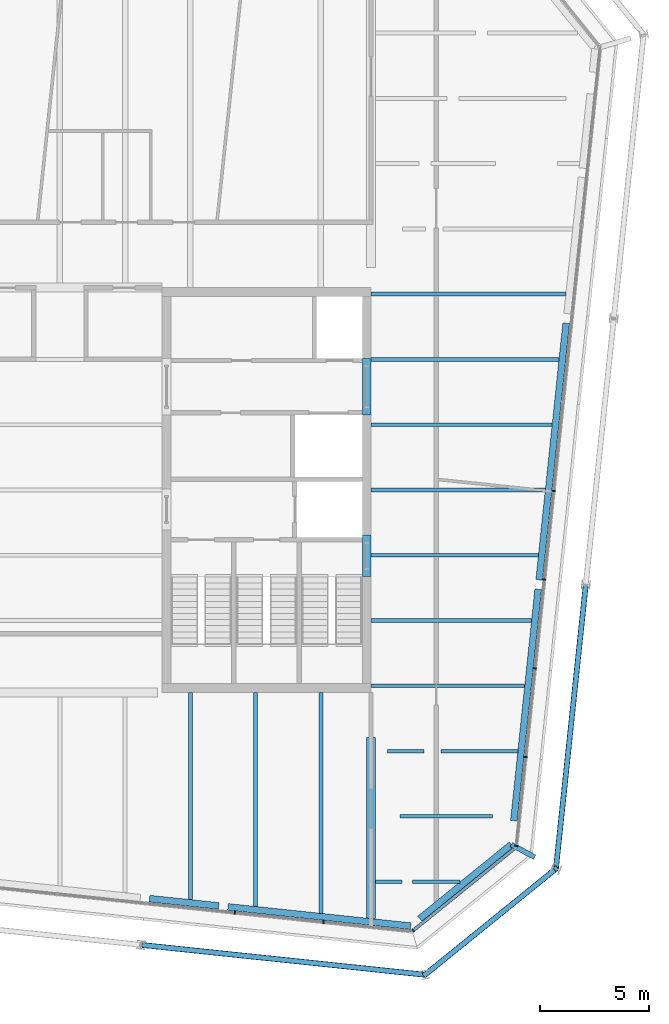
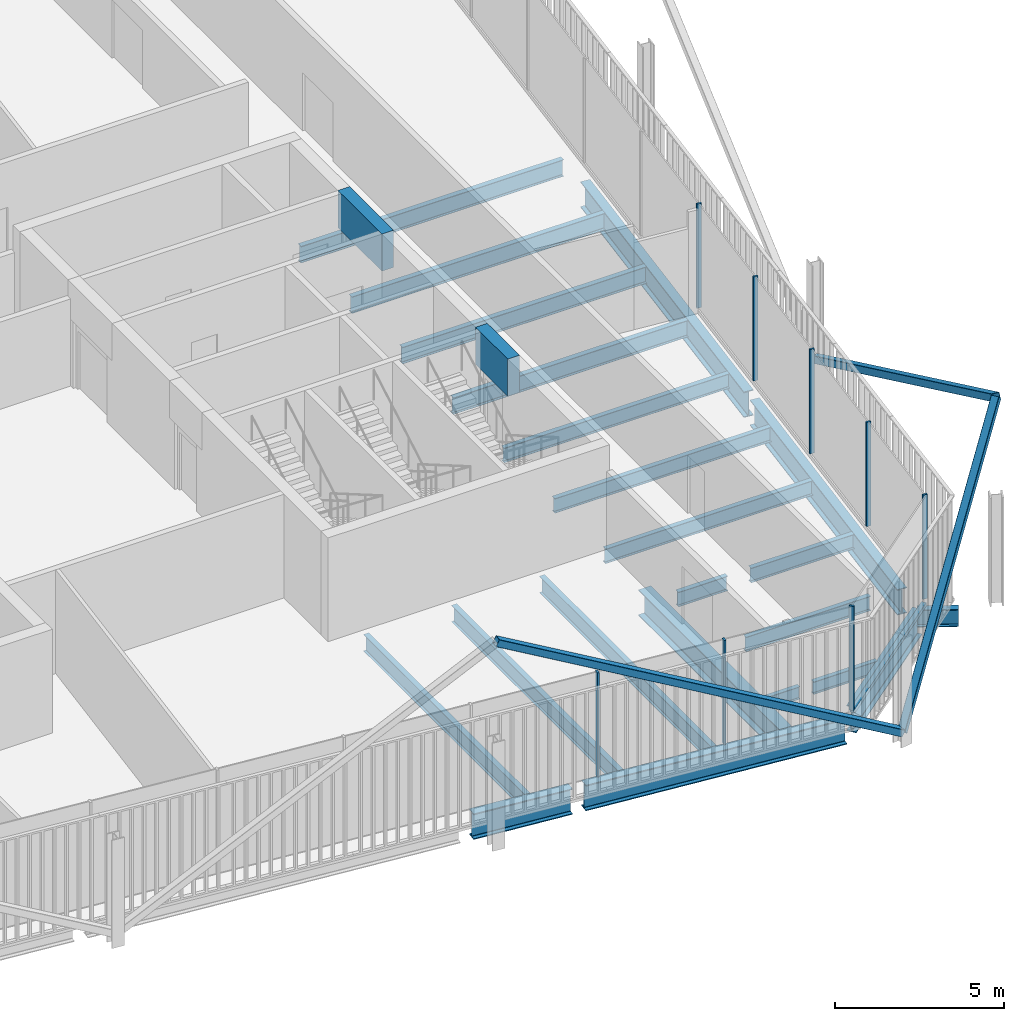
# One storey, part 9 of 21: 24 beams, 12 members, 3 elements without a shape of their own.
"""IFC4 building model written with IfcOpenShell, lengths in metres."""

from ifc_helpers import new_model, si_unit, direction, frame, origin, origin_2d, place, context, subcontext, project, spatial, rectangle, hollow_rectangle, i_section, extrude, material, layer, layer_set, material_profile, profile_set, type_object, element, aggregate, save


model = new_model("IFC4")

# Units and contexts
model_context = context("Model", 3, precision=1e-05, world=origin(), true_north=direction((0.0, 1.0)))
body_context = subcontext(model_context, "Body", "Model", "MODEL_VIEW")
ifc_project = project(units=[si_unit("LENGTHUNIT", "METRE"), si_unit("AREAUNIT", "SQUARE_METRE"), si_unit("VOLUMEUNIT", "CUBIC_METRE"), si_unit("PLANEANGLEUNIT", "RADIAN"), si_unit("MASSUNIT", "GRAM", prefix="KILO")], contexts=[model_context])

# Site, building, storey
site_placement = place(None, origin())
site = spatial("IfcSite", under=ifc_project, at=site_placement, CompositionType="ELEMENT")
building_placement = place(site_placement, origin())
building = spatial("IfcBuilding", under=site, at=building_placement, Name="Millrace Tower", CompositionType="ELEMENT")
storey_placement = place(building_placement, frame((0.0, 0.0, 276.0)))
storey = spatial("IfcBuildingStorey", under=building, at=storey_placement, Name="L63", CompositionType="ELEMENT", Elevation=276.0)

# Curtain wall, members
ifc_material_1 = material(Name="Aluminium and glass", Category="aluminium")
ifc_layer = layer(ifc_material_1, 0.14990234375)
ifc_layer_set = layer_set([ifc_layer], Name="Aluminium and glass")
curtain_wall_type = type_object("IfcCurtainWallType", Name="CW-1 office vision curtain wall", PredefinedType="NOTDEFINED", material=ifc_layer_set)
placement = place(storey_placement, origin())
curtain_wall_1 = element("IfcCurtainWall", 1, at=placement, inside=storey, type_object=curtain_wall_type, Name="Curtain wall E-F02 L63", PredefinedType="NOTDEFINED")
ifc_material_2 = material(Name="Aluminium", Category="aluminium")
ifc_material_profile_1 = material_profile(ifc_material_2, rectangle(XDim=0.06494140625, YDim=0.14990234375, at=origin_2d()))
ifc_profile_set_1 = profile_set([ifc_material_profile_1], Name="Aluminium")
member_type_1 = type_object("IfcMemberType", Name="CW-1 office vision curtain wall mullion", PredefinedType="MULLION", material=ifc_profile_set_1)
member_1_placement = place(storey_placement, frame((8.040283203125, -19.4248046875, 0.139892578125), z_axis=(0.0, 0.0, 1.0), x_axis=(0.994521896217, -0.104528455196, 0.0)))
member_1 = element("IfcMember", 2, at=member_1_placement, type_object=member_type_1, Name="CW1 mullion E-F02.8", PredefinedType="MULLION", context=body_context, shape_type="SweptSolid", body=[
    extrude(rectangle(XDim=0.06494140625, YDim=0.14990234375, at=origin_2d()), origin(), (0.0, 0.0, 1.0), 3.760009765625),
])
member_2_placement = place(storey_placement, frame((12.117919921875, -19.853271484375, 0.139892578125), z_axis=(0.0, 0.0, 1.0), x_axis=(0.994521896217, -0.104528455196, 0.0)))
member_2 = element("IfcMember", 3, at=member_2_placement, type_object=member_type_1, Name="CW1 mullion E-F02.9", PredefinedType="MULLION", context=body_context, shape_type="SweptSolid", body=[
    extrude(rectangle(XDim=0.06494140625, YDim=0.14990234375, at=origin_2d()), origin(), (0.0, 0.0, 1.0), 3.760009765625),
])
aggregate(curtain_wall_1, [member_1, member_2])

# Curtain wall, member
curtain_wall_2 = element("IfcCurtainWall", 4, at=placement, inside=storey, type_object=curtain_wall_type, Name="Curtain wall E-F03 L63", PredefinedType="NOTDEFINED")
member_3_placement = place(storey_placement, frame((16.243408203125, -20.24169921875, 0.139892578125), z_axis=(0.0, 0.0, 1.0), x_axis=(0.777146052237, 0.629320278945, 0.0)))
member_3 = element("IfcMember", 5, at=member_3_placement, type_object=member_type_1, Name="CW1 mullion E-F03.1", PredefinedType="MULLION", context=body_context, shape_type="SweptSolid", body=[
    extrude(rectangle(XDim=0.06494140625, YDim=0.14990234375, at=origin_2d()), origin(), (0.0, 0.0, 1.0), 3.760009765625),
])

# Curtain wall, members
curtain_wall_3 = element("IfcCurtainWall", 6, at=placement, inside=storey, type_object=curtain_wall_type, Name="Curtain wall E-F04 L63", PredefinedType="NOTDEFINED")
member_4_placement = place(storey_placement, frame((20.974853515625, -16.3525390625, 0.139892578125), z_axis=(0.0, 0.0, 1.0), x_axis=(0.104528455196, 0.994521896217, 0.0)))
member_4 = element("IfcMember", 7, at=member_4_placement, type_object=member_type_1, Name="CW1 mullion E-F04.1", PredefinedType="MULLION", context=body_context, shape_type="SweptSolid", body=[
    extrude(rectangle(XDim=0.06494140625, YDim=0.14990234375, at=origin_2d()), origin(), (0.0, 0.0, 1.0), 3.760009765625),
])
member_5_placement = place(storey_placement, frame((21.4033203125, -12.27490234375, 0.139892578125), z_axis=(0.0, 0.0, 1.0), x_axis=(0.104528455196, 0.994521896217, 0.0)))
member_5 = element("IfcMember", 8, at=member_5_placement, type_object=member_type_1, Name="CW1 mullion E-F04.2", PredefinedType="MULLION", context=body_context, shape_type="SweptSolid", body=[
    extrude(rectangle(XDim=0.06494140625, YDim=0.14990234375, at=origin_2d()), origin(), (0.0, 0.0, 1.0), 3.760009765625),
])
member_6_placement = place(storey_placement, frame((21.83203125, -8.197509765625, 0.139892578125), z_axis=(0.0, 0.0, 1.0), x_axis=(0.104528455196, 0.994521896217, 0.0)))
member_6 = element("IfcMember", 9, at=member_6_placement, type_object=member_type_1, Name="CW1 mullion E-F04.3", PredefinedType="MULLION", context=body_context, shape_type="SweptSolid", body=[
    extrude(rectangle(XDim=0.06494140625, YDim=0.14990234375, at=origin_2d()), origin(), (0.0, 0.0, 1.0), 3.760009765625),
])
member_7_placement = place(storey_placement, frame((22.260498046875, -4.119873046875, 0.139892578125), z_axis=(0.0, 0.0, 1.0), x_axis=(0.104528455196, 0.994521896217, 0.0)))
member_7 = element("IfcMember", 10, at=member_7_placement, type_object=member_type_1, Name="CW1 mullion E-F04.4", PredefinedType="MULLION", context=body_context, shape_type="SweptSolid", body=[
    extrude(rectangle(XDim=0.06494140625, YDim=0.14990234375, at=origin_2d()), origin(), (0.0, 0.0, 1.0), 3.760009765625),
])
member_8_placement = place(storey_placement, frame((22.68896484375, -0.042236328125, 0.139892578125), z_axis=(0.0, 0.0, 1.0), x_axis=(0.104528455196, 0.994521896217, 0.0)))
member_8 = element("IfcMember", 11, at=member_8_placement, type_object=member_type_1, Name="CW1 mullion E-F04.5", PredefinedType="MULLION", context=body_context, shape_type="SweptSolid", body=[
    extrude(rectangle(XDim=0.06494140625, YDim=0.14990234375, at=origin_2d()), origin(), (0.0, 0.0, 1.0), 3.760009765625),
])
aggregate(curtain_wall_3, [member_4, member_5, member_6, member_7, member_8])

# Member
ifc_material_3 = material(Name="Aluminium", Category="aluminium")
ifc_material_profile_2 = material_profile(ifc_material_3, rectangle(XDim=0.14990234375, YDim=0.139892578125, at=origin_2d()))
ifc_profile_set_2 = profile_set([ifc_material_profile_2], Name="Aluminium")
member_type_2 = type_object("IfcMemberType", Name="CW-1 office vision curtain wall transom", PredefinedType="USERDEFINED", material=ifc_profile_set_2)
member_9_placement = place(storey_placement, frame((16.2958984375, -20.19921875, 0.070068359375), z_axis=(0.77714915117, 0.629316452061, 0.0), x_axis=(-0.629316452061, 0.77714915117, 0.0)))
member_9 = element("IfcMember", 12, at=member_9_placement, type_object=member_type_2, Name="CW1 transom E-F03.1", ObjectType="TRANSOM", PredefinedType="USERDEFINED", context=body_context, shape_type="SweptSolid", body=[
    extrude(rectangle(XDim=0.14990234375, YDim=0.139892578125, at=origin_2d()), origin(), (0.0, 0.0, 1.0), 5.880859375),
])

aggregate(curtain_wall_2, [member_3, member_9])

# Beams
ifc_material_4 = material(Name="Concrete C60", Category="concrete")
ifc_material_profile_3 = material_profile(ifc_material_4, rectangle(XDim=0.39990234375, YDim=1.340087890625, at=origin_2d()))
ifc_profile_set_3 = profile_set([ifc_material_profile_3], Name="Concrete C60")
beam_type_1 = type_object("IfcBeamType", Name="Coupling beam 400 x 1340 Concrete C60, 1300 opening", PredefinedType="BEAM", material=ifc_profile_set_3)
beam_1_placement = place(storey_placement, frame((14.10009765625, -2.080078125, 3.070068359375), z_axis=(0.0, -1.0, 0.0), x_axis=(1.0, 0.0, 0.0)))
element("IfcBeam", 13, at=beam_1_placement, inside=storey, type_object=beam_type_1, Name="Coupling beam E L63", PredefinedType="BEAM", context=body_context, shape_type="SweptSolid", body=[
    extrude(rectangle(XDim=0.39990234375, YDim=1.340087890625, at=origin_2d()), origin(), (0.0, 0.0, 1.0), 1.89990234375),
])
ifc_material_5 = material(Name="Concrete C60", Category="concrete")
ifc_material_profile_4 = material_profile(ifc_material_5, rectangle(XDim=0.39990234375, YDim=1.340087890625, at=origin_2d()))
ifc_profile_set_4 = profile_set([ifc_material_profile_4], Name="Concrete C60")
beam_type_2 = type_object("IfcBeamType", Name="Coupling beam 400 x 1340 Concrete C60, 2000 opening", PredefinedType="BEAM", material=ifc_profile_set_4)
beam_2_placement = place(storey_placement, frame((14.10009765625, 6.050048828125, 3.070068359375), z_axis=(0.0, -1.0, 0.0), x_axis=(1.0, 0.0, 0.0)))
element("IfcBeam", 14, at=beam_2_placement, inside=storey, type_object=beam_type_2, Name="Coupling beam E L63", PredefinedType="BEAM", context=body_context, shape_type="SweptSolid", body=[
    extrude(rectangle(XDim=0.39990234375, YDim=1.340087890625, at=origin_2d()), origin(), (0.0, 0.0, 1.0), 2.60009765625),
])

# Members
ifc_material_6 = material(Name="Steel ASTM A500 Grade C", Category="steel")
ifc_material_profile_5 = material_profile(ifc_material_6, hollow_rectangle(XDim=0.25390625, YDim=0.25390625, WallThickness=0.0126953125, InnerFilletRadius=0.00634765625, OuterFilletRadius=0.01904296875, at=origin_2d()))
ifc_profile_set_5 = profile_set([ifc_material_profile_5], Name="Steel ASTM A500 Grade C")
member_type_3 = type_object("IfcMemberType", Name="Exoskeleton brace HSS10x10x1/2", PredefinedType="BRACE", material=ifc_profile_set_5)
member_10_placement = place(storey_placement, frame((16.78564453125, -22.279541015625, 0.39990234375), z_axis=(-0.877568210125, 0.092238278747, 0.470495628578), x_axis=(-0.104530865473, -0.994521642883, 0.0)))
element("IfcMember", 15, at=member_10_placement, inside=storey, type_object=member_type_3, Name="BRC-E-L63-04", PredefinedType="BRACE", context=body_context, shape_type="SweptSolid", body=[
    extrude(hollow_rectangle(XDim=0.25390625, YDim=0.25390625, WallThickness=0.0126953125, InnerFilletRadius=0.00634765625, OuterFilletRadius=0.01904296875, at=origin_2d()), origin(), (0.0, 0.0, 1.0), 14.8779296875),
])
member_11_placement = place(storey_placement, frame((16.78564453125, -22.279541015625, 0.39990234375), z_axis=(0.576329152125, 0.466688099557, 0.670855369021), x_axis=(-0.629308952043, 0.777155224442, 0.0)))
element("IfcMember", 16, at=member_11_placement, inside=storey, type_object=member_type_3, Name="BRC-E-L63-05", PredefinedType="BRACE", context=body_context, shape_type="SweptSolid", body=[
    extrude(hollow_rectangle(XDim=0.25390625, YDim=0.25390625, WallThickness=0.0126953125, InnerFilletRadius=0.00634765625, OuterFilletRadius=0.01904296875, at=origin_2d()), origin(), (0.0, 0.0, 1.0), 10.434326171875),
])
member_12_placement = place(storey_placement, frame((24.171630859375, -4.353271484375, 0.39990234375), z_axis=(-0.092236950483, -0.877571982182, 0.470488853274), x_axis=(0.994521846076, -0.104528932251, 0.0)))
element("IfcMember", 17, at=member_12_placement, inside=storey, type_object=member_type_3, Name="BRC-E-L63-06", PredefinedType="BRACE", context=body_context, shape_type="SweptSolid", body=[
    extrude(hollow_rectangle(XDim=0.25390625, YDim=0.25390625, WallThickness=0.0126953125, InnerFilletRadius=0.00634765625, OuterFilletRadius=0.01904296875, at=origin_2d()), origin(), (0.0, 0.0, 1.0), 14.878173828125),
])

# Beams
ifc_material_7 = material(Name="Steel ASTM A992 Grade 50", Category="steel")
ifc_material_profile_6 = material_profile(ifc_material_7, i_section(OverallWidth=0.15234375, OverallDepth=0.449462890625, WebThickness=0.007568359375, FlangeThickness=0.0107421875, FilletRadius=0.01025390625, at=origin_2d()))
ifc_profile_set_6 = profile_set([ifc_material_profile_6], Name="Steel ASTM A992 Grade 50")
beam_type_3 = type_object("IfcBeamType", Name="Floor beam W18x35", PredefinedType="JOIST", material=ifc_profile_set_6)
beam_3_placement = place(storey_placement, frame((14.509521484375, -18.0, -0.384765625), z_axis=(1.0, 0.0, 0.0), x_axis=(0.0, 1.0, 0.0)))
element("IfcBeam", 18, at=beam_3_placement, inside=storey, type_object=beam_type_3, Name="BM-E-L63-S1-S001-a", PredefinedType="JOIST", context=body_context, shape_type="SweptSolid", body=[
    extrude(i_section(OverallWidth=0.15234375, OverallDepth=0.449462890625, WebThickness=0.007568359375, FlangeThickness=0.0107421875, FilletRadius=0.01025390625, at=origin_2d()), origin(), (0.0, 0.0, 1.0), 1.22314453125),
])
beam_4_placement = place(storey_placement, frame((16.19970703125, -18.0, -0.384765625), z_axis=(1.0, 0.0, 0.0), x_axis=(0.0, 1.0, 0.0)))
element("IfcBeam", 19, at=beam_4_placement, inside=storey, type_object=beam_type_3, Name="BM-E-L63-S1-S001-b", PredefinedType="JOIST", context=body_context, shape_type="SweptSolid", body=[
    extrude(i_section(OverallWidth=0.15234375, OverallDepth=0.449462890625, WebThickness=0.007568359375, FlangeThickness=0.0107421875, FilletRadius=0.01025390625, at=origin_2d()), origin(), (0.0, 0.0, 1.0), 2.180419921875),
])
ifc_material_8 = material(Name="Steel ASTM A992 Grade 50", Category="steel")
ifc_material_profile_7 = material_profile(ifc_material_8, i_section(OverallWidth=0.1650390625, OverallDepth=0.52587890625, WebThickness=0.0087890625, FlangeThickness=0.011474609375, FilletRadius=0.0126953125, at=origin_2d()))
ifc_profile_set_7 = profile_set([ifc_material_profile_7], Name="Steel ASTM A992 Grade 50")
beam_type_4 = type_object("IfcBeamType", Name="Floor beam W21x44", PredefinedType="JOIST", material=ifc_profile_set_7)
beam_5_placement = place(storey_placement, frame((14.300048828125, -9.0, -0.4228515625), z_axis=(1.0, 0.0, 0.0), x_axis=(0.0, 1.0, 0.0)))
element("IfcBeam", 20, at=beam_5_placement, inside=storey, type_object=beam_type_4, Name="BM-E-L63-S1-S007", PredefinedType="JOIST", context=body_context, shape_type="SweptSolid", body=[
    extrude(i_section(OverallWidth=0.1650390625, OverallDepth=0.52587890625, WebThickness=0.0087890625, FlangeThickness=0.011474609375, FilletRadius=0.0126953125, at=origin_2d()), origin(), (0.0, 0.0, 1.0), 7.06298828125),
])
beam_6_placement = place(storey_placement, frame((14.300048828125, -6.0, -0.4228515625), z_axis=(1.0, 0.0, 0.0), x_axis=(0.0, 1.0, 0.0)))
element("IfcBeam", 21, at=beam_6_placement, inside=storey, type_object=beam_type_4, Name="BM-E-L63-S1-S010", PredefinedType="JOIST", context=body_context, shape_type="SweptSolid", body=[
    extrude(i_section(OverallWidth=0.1650390625, OverallDepth=0.52587890625, WebThickness=0.0087890625, FlangeThickness=0.011474609375, FilletRadius=0.0126953125, at=origin_2d()), origin(), (0.0, 0.0, 1.0), 7.37841796875),
])
beam_7_placement = place(storey_placement, frame((14.300048828125, -3.0, -0.4228515625), z_axis=(1.0, 0.0, 0.0), x_axis=(0.0, 1.0, 0.0)))
element("IfcBeam", 22, at=beam_7_placement, inside=storey, type_object=beam_type_4, Name="BM-E-L63-S1-S013", PredefinedType="JOIST", context=body_context, shape_type="SweptSolid", body=[
    extrude(i_section(OverallWidth=0.1650390625, OverallDepth=0.52587890625, WebThickness=0.0087890625, FlangeThickness=0.011474609375, FilletRadius=0.0126953125, at=origin_2d()), origin(), (0.0, 0.0, 1.0), 7.693603515625),
])
beam_8_placement = place(storey_placement, frame((15.62353515625, -15.0, -0.4228515625), z_axis=(1.0, 0.0, 0.0), x_axis=(0.0, 1.0, 0.0)))
element("IfcBeam", 23, at=beam_8_placement, inside=storey, type_object=beam_type_4, Name="BM-E-L63-S1-S003", PredefinedType="JOIST", context=body_context, shape_type="SweptSolid", body=[
    extrude(i_section(OverallWidth=0.1650390625, OverallDepth=0.52587890625, WebThickness=0.0087890625, FlangeThickness=0.011474609375, FilletRadius=0.0126953125, at=origin_2d()), origin(), (0.0, 0.0, 1.0), 4.251220703125),
])
beam_9_placement = place(storey_placement, frame((15.049072265625, -12.0, -0.4228515625), z_axis=(1.0, 0.0, 0.0), x_axis=(0.0, 1.0, 0.0)))
element("IfcBeam", 24, at=beam_9_placement, inside=storey, type_object=beam_type_4, Name="BM-E-L63-S1-S005-a", PredefinedType="JOIST", context=body_context, shape_type="SweptSolid", body=[
    extrude(i_section(OverallWidth=0.1650390625, OverallDepth=0.52587890625, WebThickness=0.0087890625, FlangeThickness=0.011474609375, FilletRadius=0.0126953125, at=origin_2d()), origin(), (0.0, 0.0, 1.0), 1.681640625),
])
beam_10_placement = place(storey_placement, frame((17.5283203125, -12.0, -0.4228515625), z_axis=(1.0, 0.0, 0.0), x_axis=(0.0, 1.0, 0.0)))
element("IfcBeam", 25, at=beam_10_placement, inside=storey, type_object=beam_type_4, Name="BM-E-L63-S1-S005-b", PredefinedType="JOIST", context=body_context, shape_type="SweptSolid", body=[
    extrude(i_section(OverallWidth=0.1650390625, OverallDepth=0.52587890625, WebThickness=0.0087890625, FlangeThickness=0.011474609375, FilletRadius=0.0126953125, at=origin_2d()), origin(), (0.0, 0.0, 1.0), 3.51953125),
])
ifc_material_9 = material(Name="Steel ASTM A992 Grade 50", Category="steel")
ifc_material_profile_8 = material_profile(ifc_material_9, i_section(OverallWidth=0.177978515625, OverallDepth=0.599365234375, WebThickness=0.010009765625, FlangeThickness=0.012939453125, FilletRadius=0.012939453125, at=origin_2d()))
ifc_profile_set_8 = profile_set([ifc_material_profile_8], Name="Steel ASTM A992 Grade 50")
beam_type_5 = type_object("IfcBeamType", Name="Floor beam W24x55", PredefinedType="JOIST", material=ifc_profile_set_8)
beam_11_placement = place(storey_placement, frame((14.300048828125, 0.0, -0.459716796875), z_axis=(1.0, 0.0, 0.0), x_axis=(0.0, 1.0, 0.0)))
element("IfcBeam", 26, at=beam_11_placement, inside=storey, type_object=beam_type_5, Name="BM-E-L63-S1-S016", PredefinedType="JOIST", context=body_context, shape_type="SweptSolid", body=[
    extrude(i_section(OverallWidth=0.177978515625, OverallDepth=0.599365234375, WebThickness=0.010009765625, FlangeThickness=0.012939453125, FilletRadius=0.012939453125, at=origin_2d()), origin(), (0.0, 0.0, 1.0), 8.009033203125),
])
beam_12_placement = place(storey_placement, frame((14.300048828125, 3.0, -0.459716796875), z_axis=(1.0, 0.0, 0.0), x_axis=(0.0, 1.0, 0.0)))
element("IfcBeam", 27, at=beam_12_placement, inside=storey, type_object=beam_type_5, Name="BM-E-L63-S1-S019", PredefinedType="JOIST", context=body_context, shape_type="SweptSolid", body=[
    extrude(i_section(OverallWidth=0.177978515625, OverallDepth=0.599365234375, WebThickness=0.010009765625, FlangeThickness=0.012939453125, FilletRadius=0.012939453125, at=origin_2d()), origin(), (0.0, 0.0, 1.0), 8.324462890625),
])
beam_13_placement = place(storey_placement, frame((14.300048828125, 6.0, -0.459716796875), z_axis=(1.0, 0.0, 0.0), x_axis=(0.0, 1.0, 0.0)))
element("IfcBeam", 28, at=beam_13_placement, inside=storey, type_object=beam_type_5, Name="BM-E-L63-S1-S022", PredefinedType="JOIST", context=body_context, shape_type="SweptSolid", body=[
    extrude(i_section(OverallWidth=0.177978515625, OverallDepth=0.599365234375, WebThickness=0.010009765625, FlangeThickness=0.012939453125, FilletRadius=0.012939453125, at=origin_2d()), origin(), (0.0, 0.0, 1.0), 8.6396484375),
])
beam_14_placement = place(storey_placement, frame((14.300048828125, 9.0, -0.459716796875), z_axis=(1.0, 0.0, 0.0), x_axis=(0.0, 1.0, 0.0)))
element("IfcBeam", 29, at=beam_14_placement, inside=storey, type_object=beam_type_5, Name="BM-E-L63-S1-S024", PredefinedType="JOIST", context=body_context, shape_type="SweptSolid", body=[
    extrude(i_section(OverallWidth=0.177978515625, OverallDepth=0.599365234375, WebThickness=0.010009765625, FlangeThickness=0.012939453125, FilletRadius=0.012939453125, at=origin_2d()), origin(), (0.0, 0.0, 1.0), 8.955078125),
])
beam_15_placement = place(storey_placement, frame((6.0, -18.825927734375, -0.459716796875), z_axis=(0.0, 1.0, 0.0), x_axis=(-1.0, 0.0, 0.0)))
element("IfcBeam", 30, at=beam_15_placement, inside=storey, type_object=beam_type_5, Name="BM-E-L63-S1-S049", PredefinedType="JOIST", context=body_context, shape_type="SweptSolid", body=[
    extrude(i_section(OverallWidth=0.177978515625, OverallDepth=0.599365234375, WebThickness=0.010009765625, FlangeThickness=0.012939453125, FilletRadius=0.012939453125, at=origin_2d()), origin(), (0.0, 0.0, 1.0), 9.52587890625),
])
beam_16_placement = place(storey_placement, frame((9.0, -19.14111328125, -0.459716796875), z_axis=(0.0, 1.0, 0.0), x_axis=(-1.0, 0.0, 0.0)))
element("IfcBeam", 31, at=beam_16_placement, inside=storey, type_object=beam_type_5, Name="BM-E-L63-S1-S051", PredefinedType="JOIST", context=body_context, shape_type="SweptSolid", body=[
    extrude(i_section(OverallWidth=0.177978515625, OverallDepth=0.599365234375, WebThickness=0.010009765625, FlangeThickness=0.012939453125, FilletRadius=0.012939453125, at=origin_2d()), origin(), (0.0, 0.0, 1.0), 9.841064453125),
])
ifc_material_10 = material(Name="Steel ASTM A992 Grade 50", Category="steel")
ifc_material_profile_9 = material_profile(ifc_material_10, i_section(OverallWidth=0.1787109375, OverallDepth=0.60205078125, WebThickness=0.010986328125, FlangeThickness=0.014892578125, FilletRadius=0.0126953125, at=origin_2d()))
ifc_profile_set_9 = profile_set([ifc_material_profile_9], Name="Steel ASTM A992 Grade 50")
beam_type_6 = type_object("IfcBeamType", Name="Floor beam W24x62", PredefinedType="JOIST", material=ifc_profile_set_9)
beam_17_placement = place(storey_placement, frame((12.0, -19.45654296875, -0.4609375), z_axis=(0.0, 1.0, 0.0), x_axis=(-1.0, 0.0, 0.0)))
element("IfcBeam", 32, at=beam_17_placement, inside=storey, type_object=beam_type_6, Name="BM-E-L63-S1-S053", PredefinedType="JOIST", context=body_context, shape_type="SweptSolid", body=[
    extrude(i_section(OverallWidth=0.1787109375, OverallDepth=0.60205078125, WebThickness=0.010986328125, FlangeThickness=0.014892578125, FilletRadius=0.0126953125, at=origin_2d()), origin(), (0.0, 0.0, 1.0), 10.156494140625),
])
ifc_material_11 = material(Name="Steel ASTM A992 Grade 50", Category="steel")
ifc_material_profile_10 = material_profile(ifc_material_11, i_section(OverallWidth=0.419189453125, OverallDepth=0.927001953125, WebThickness=0.019287109375, FlangeThickness=0.031982421875, FilletRadius=0.024169921875, at=origin_2d()))
ifc_profile_set_10 = profile_set([ifc_material_profile_10], Name="Steel ASTM A992 Grade 50")
beam_type_7 = type_object("IfcBeamType", Name="Girder short span W36x231", PredefinedType="BEAM", material=ifc_profile_set_10)
beam_18_placement = place(storey_placement, frame((14.300048828125, -19.6982421875, -0.62353515625), z_axis=(0.0, 1.0, 0.0), x_axis=(-1.0, 0.0, 0.0)))
element("IfcBeam", 33, at=beam_18_placement, inside=storey, type_object=beam_type_7, Name="BM-E-L63-S1-G057", PredefinedType="BEAM", context=body_context, shape_type="SweptSolid", body=[
    extrude(i_section(OverallWidth=0.419189453125, OverallDepth=0.927001953125, WebThickness=0.019287109375, FlangeThickness=0.031982421875, FilletRadius=0.024169921875, at=origin_2d()), origin(), (0.0, 0.0, 1.0), 8.32666015625),
])
ifc_material_12 = material(Name="Steel ASTM A992 Grade 50", Category="steel")
ifc_material_profile_11 = material_profile(ifc_material_12, i_section(OverallWidth=0.23046875, OverallDepth=0.6171875, WebThickness=0.01318359375, FlangeThickness=0.022216796875, FilletRadius=0.012939453125, at=origin_2d()))
ifc_profile_set_11 = profile_set([ifc_material_profile_11], Name="Steel ASTM A992 Grade 50")
beam_type_8 = type_object("IfcBeamType", Name="Link beam W24x94", PredefinedType="BEAM", material=ifc_profile_set_11)
beam_19_placement = place(storey_placement, frame((20.750732421875, -16.297607421875, -0.468505859375), z_axis=(0.878827055893, -0.477140446652, 0.0), x_axis=(0.477140446652, 0.878827055893, 0.0)))
element("IfcBeam", 34, at=beam_19_placement, inside=storey, type_object=beam_type_8, Name="LNK-E-L63-S1-12", PredefinedType="BEAM", context=body_context, shape_type="SweptSolid", body=[
    extrude(i_section(OverallWidth=0.23046875, OverallDepth=0.6171875, WebThickness=0.01318359375, FlangeThickness=0.022216796875, FilletRadius=0.012939453125, at=origin_2d()), origin(), (0.0, 0.0, 1.0), 1.2197265625),
])
ifc_material_13 = material(Name="Steel ASTM A992 Grade 50", Category="steel")
ifc_material_profile_12 = material_profile(ifc_material_13, i_section(OverallWidth=0.307373046875, OverallDepth=0.927001953125, WebThickness=0.01953125, FlangeThickness=0.031982421875, FilletRadius=0.01904296875, at=origin_2d()))
ifc_profile_set_12 = profile_set([ifc_material_profile_12], Name="Steel ASTM A992 Grade 50")
beam_type_9 = type_object("IfcBeamType", Name="Ring beam short span W36x194", PredefinedType="SPANDREL", material=ifc_profile_set_12)
beam_20_placement = place(storey_placement, frame((23.26953125, 7.667236328125, -0.62353515625), z_axis=(-0.104528340649, -0.994521908256, 0.0), x_axis=(0.994521908256, -0.104528340649, 0.0)))
element("IfcBeam", 35, at=beam_20_placement, inside=storey, type_object=beam_type_9, Name="RNG-E-L63-S1-10", PredefinedType="SPANDREL", context=body_context, shape_type="SweptSolid", body=[
    extrude(i_section(OverallWidth=0.307373046875, OverallDepth=0.927001953125, WebThickness=0.01953125, FlangeThickness=0.031982421875, FilletRadius=0.01904296875, at=origin_2d()), origin(), (0.0, 0.0, 1.0), 11.8603515625),
])
beam_21_placement = place(storey_placement, frame((16.123779296875, -20.04443359375, -0.62353515625), z_axis=(-0.994522076235, 0.104526742422, 0.0), x_axis=(-0.104526742422, -0.994522076235, 0.0)))
element("IfcBeam", 36, at=beam_21_placement, inside=storey, type_object=beam_type_9, Name="RNG-E-L63-S1-13-a", PredefinedType="SPANDREL", context=body_context, shape_type="SweptSolid", body=[
    extrude(i_section(OverallWidth=0.307373046875, OverallDepth=0.927001953125, WebThickness=0.01953125, FlangeThickness=0.031982421875, FilletRadius=0.01904296875, at=origin_2d()), origin(), (0.0, 0.0, 1.0), 8.443359375),
])
beam_22_placement = place(storey_placement, frame((20.750732421875, -16.297607421875, -0.62353515625), z_axis=(-0.777152493099, -0.629312325058, 0.0), x_axis=(0.629312325058, -0.777152493099, 0.0)))
element("IfcBeam", 37, at=beam_22_placement, inside=storey, type_object=beam_type_9, Name="RNG-E-L63-S1-12", PredefinedType="SPANDREL", context=body_context, shape_type="SweptSolid", body=[
    extrude(i_section(OverallWidth=0.307373046875, OverallDepth=0.927001953125, WebThickness=0.01953125, FlangeThickness=0.031982421875, FilletRadius=0.01904296875, at=origin_2d()), origin(), (0.0, 0.0, 1.0), 5.41650390625),
])
beam_23_placement = place(storey_placement, frame((7.301513671875, -19.1171875, -0.62353515625), z_axis=(-0.994520495152, 0.104541784574, 0.0), x_axis=(-0.104541784574, -0.994520495152, 0.0)))
element("IfcBeam", 38, at=beam_23_placement, inside=storey, type_object=beam_type_9, Name="RNG-E-L63-S1-13-b", PredefinedType="SPANDREL", context=body_context, shape_type="SweptSolid", body=[
    extrude(i_section(OverallWidth=0.307373046875, OverallDepth=0.927001953125, WebThickness=0.01953125, FlangeThickness=0.031982421875, FilletRadius=0.01904296875, at=origin_2d()), origin(), (0.0, 0.0, 1.0), 3.199462890625),
])
beam_24_placement = place(storey_placement, frame((21.983642578125, -4.5654296875, -0.62353515625), z_axis=(-0.104526742422, -0.994522076235, 0.0), x_axis=(0.994522076235, -0.104526742422, 0.0)))
element("IfcBeam", 39, at=beam_24_placement, inside=storey, type_object=beam_type_9, Name="RNG-E-L63-S1-11", PredefinedType="SPANDREL", context=body_context, shape_type="SweptSolid", body=[
    extrude(i_section(OverallWidth=0.307373046875, OverallDepth=0.927001953125, WebThickness=0.01953125, FlangeThickness=0.031982421875, FilletRadius=0.01904296875, at=origin_2d()), origin(), (0.0, 0.0, 1.0), 10.695068359375),
])

save(model, "model.ifc")
